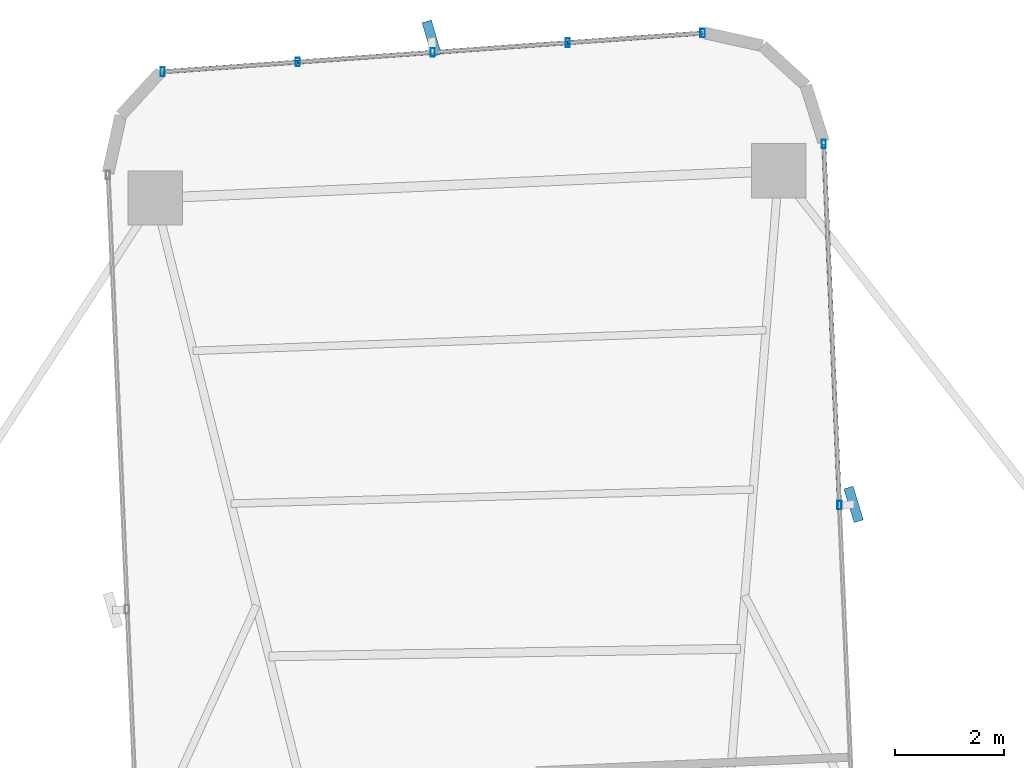
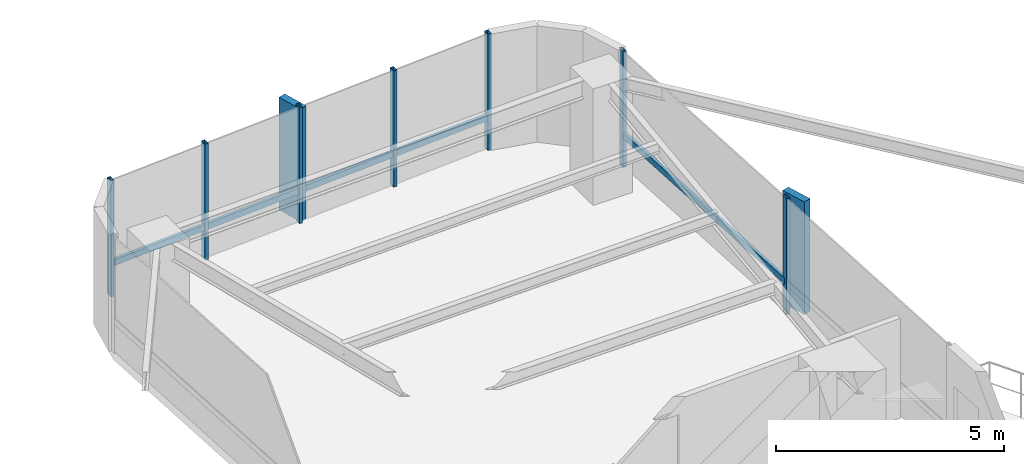
# One storey, part 19 of 26: 14 members, 2 elements without a shape of their own.
"""IFC4 building model written with IfcOpenShell, lengths in metres."""

from ifc_helpers import new_model, si_unit, direction, frame, origin, origin_2d, place, context, subcontext, project, spatial, rectangle, hollow_rectangle, extrude, source, transform, mapped, material, material_profile, profile_set, type_object, element, aggregate, save


model = new_model("IFC4")

# Units and contexts
model_context = context("Model", 3, precision=1e-05, world=origin(), true_north=direction((0.0, 1.0)))
body_context = subcontext(model_context, "Body", "Model", "MODEL_VIEW")
ifc_project = project(units=[si_unit("LENGTHUNIT", "METRE"), si_unit("AREAUNIT", "SQUARE_METRE"), si_unit("VOLUMEUNIT", "CUBIC_METRE"), si_unit("PLANEANGLEUNIT", "RADIAN"), si_unit("MASSUNIT", "GRAM", prefix="KILO")], contexts=[model_context])

# Site, building, storey
site_placement = place(None, origin())
site = spatial("IfcSite", under=ifc_project, at=site_placement, CompositionType="ELEMENT")
building_placement = place(site_placement, origin())
building = spatial("IfcBuilding", under=site, at=building_placement, Name="Sahyath Konkavel Grand Hotel", CompositionType="ELEMENT")
storey_placement = place(building_placement, frame((0.0, 0.0, 121.5)))
storey = spatial("IfcBuildingStorey", under=building, at=storey_placement, Name="L33", CompositionType="ELEMENT", Elevation=121.5)

# Curtain wall, member
ifc_material_1 = material(Name="Anodised Bronze Aluminium & Low-E Glazing", Category="aluminium")
curtain_wall_type = type_object("IfcCurtainWallType", Name="CW-ZONE2", PredefinedType="NOTDEFINED", material=ifc_material_1)
curtain_wall_1_placement = place(storey_placement, origin())
curtain_wall_1 = element("IfcCurtainWall", 1, at=curtain_wall_1_placement, inside=storey, type_object=curtain_wall_type, Name="L33 Unitised Curtain Wall F8", PredefinedType="NOTDEFINED")
ifc_material_2 = material(Name="Warm Buff Sandstone Cladding on Concrete C50/60", Category="masonry")
ifc_material_profile_1 = material_profile(ifc_material_2, rectangle(XDim=0.179931640625, YDim=0.64990234375, at=origin_2d()), Name="FIN 180x650")
ifc_profile_set_1 = profile_set([ifc_material_profile_1], Name="Warm Buff Sandstone Cladding on Concrete C50/60")
member_type_1 = type_object("IfcMemberType", Name="FIN-SANDSTONE-650", PredefinedType="MULLION", material=ifc_profile_set_1)
shared_shape_1 = source(origin(), body_context, "Body", "SweptSolid", [
    extrude(rectangle(XDim=0.179931640625, YDim=0.64990234375, at=origin_2d()), origin(), (0.0, 0.0, 1.0), 3.010009765625),
])
member_1_placement = place(storey_placement, frame((6.155517578125, 16.283935546875, 0.050048828125), z_axis=(0.0, 0.0, 1.0), x_axis=(0.956610402488, 0.291370104596, 0.0)))
member_1 = element("IfcMember", 2, at=member_1_placement, type_object=member_type_1, Name="L33 Sandstone Vertical Solar Fin FIN F8-1", PredefinedType="MULLION", context=body_context, shape_type="MappedRepresentation", body=[
    mapped(shared_shape_1, transform((0.0, 0.0, 0.0), scale=1.0)),
])

curtain_wall_2_placement = place(storey_placement, origin())
curtain_wall_2 = element("IfcCurtainWall", 3, at=curtain_wall_2_placement, inside=storey, type_object=curtain_wall_type, Name="L33 Unitised Curtain Wall F12", PredefinedType="NOTDEFINED")
member_2_placement = place(storey_placement, frame((-1.61865234375, 24.872314453125, 0.050048828125), z_axis=(0.0, 0.0, 1.0), x_axis=(0.959854262938, 0.280499187022, 0.0)))
member_2 = element("IfcMember", 4, at=member_2_placement, type_object=member_type_1, Name="L33 Sandstone Vertical Solar Fin FIN F12-2", PredefinedType="MULLION", context=body_context, shape_type="MappedRepresentation", body=[
    mapped(shared_shape_1, transform((0.0, 0.0, 0.0), scale=1.0)),
])

# Member
ifc_material_3 = material(Name="Anodised Bronze Aluminium", Category="aluminium")
ifc_material_profile_2 = material_profile(ifc_material_3, hollow_rectangle(XDim=0.080078125, YDim=0.159912109375, WallThickness=0.006103515625, at=origin_2d()), Name="RHS 160x80x6")
ifc_profile_set_2 = profile_set([ifc_material_profile_2], Name="Anodised Bronze Aluminium")
member_type_2 = type_object("IfcMemberType", Name="CW-MUL-160", PredefinedType="MULLION", material=ifc_profile_set_2)
shared_shape_2 = source(origin(), body_context, "Body", "SweptSolid", [
    extrude(hollow_rectangle(XDim=0.080078125, YDim=0.159912109375, WallThickness=0.006103515625, at=origin_2d()), origin(), (0.0, 0.0, 1.0), 3.110107421875),
])
member_3_placement = place(storey_placement, frame((5.895751953125, 16.272705078125, 0.0), z_axis=(0.0, 0.0, 1.0), x_axis=(1.0, 0.0, 0.0)))
member_3 = element("IfcMember", 5, at=member_3_placement, type_object=member_type_2, Name="L33 Curtain Wall Mullion F8-1", PredefinedType="MULLION", context=body_context, shape_type="MappedRepresentation", body=[
    mapped(shared_shape_2, transform((0.0, 0.0, 0.0), scale=1.0)),
])

member_4_placement = place(storey_placement, frame((5.605224609375, 22.92626953125, 0.0), z_axis=(0.0, 0.0, 1.0), x_axis=(1.0, 0.0, 0.0)))
member_4 = element("IfcMember", 6, at=member_4_placement, type_object=member_type_2, Name="L33 Curtain Wall Mullion F8-2", PredefinedType="MULLION", context=body_context, shape_type="MappedRepresentation", body=[
    mapped(shared_shape_2, transform((0.0, 0.0, 0.0), scale=1.0)),
])

member_5_placement = place(storey_placement, frame((3.3740234375, 24.9697265625, 0.0), z_axis=(0.0, 0.0, 1.0), x_axis=(1.0, 0.0, 0.0)))
member_5 = element("IfcMember", 7, at=member_5_placement, type_object=member_type_2, Name="L33 Curtain Wall Mullion F12-0", PredefinedType="MULLION", context=body_context, shape_type="MappedRepresentation", body=[
    mapped(shared_shape_2, transform((0.0, 0.0, 0.0), scale=1.0)),
])

member_6_placement = place(storey_placement, frame((0.886962890625, 24.79150390625, 0.0), z_axis=(0.0, 0.0, 1.0), x_axis=(1.0, 0.0, 0.0)))
member_6 = element("IfcMember", 8, at=member_6_placement, type_object=member_type_2, Name="L33 Curtain Wall Mullion F12-1", PredefinedType="MULLION", context=body_context, shape_type="MappedRepresentation", body=[
    mapped(shared_shape_2, transform((0.0, 0.0, 0.0), scale=1.0)),
])

member_7_placement = place(storey_placement, frame((-1.60009765625, 24.61279296875, 0.0), z_axis=(0.0, 0.0, 1.0), x_axis=(1.0, 0.0, 0.0)))
member_7 = element("IfcMember", 9, at=member_7_placement, type_object=member_type_2, Name="L33 Curtain Wall Mullion F12-2", PredefinedType="MULLION", context=body_context, shape_type="MappedRepresentation", body=[
    mapped(shared_shape_2, transform((0.0, 0.0, 0.0), scale=1.0)),
])

member_8_placement = place(storey_placement, frame((-4.087158203125, 24.4345703125, 0.0), z_axis=(0.0, 0.0, 1.0), x_axis=(1.0, 0.0, 0.0)))
member_8 = element("IfcMember", 10, at=member_8_placement, type_object=member_type_2, Name="L33 Curtain Wall Mullion F12-3", PredefinedType="MULLION", context=body_context, shape_type="MappedRepresentation", body=[
    mapped(shared_shape_2, transform((0.0, 0.0, 0.0), scale=1.0)),
])

member_9_placement = place(storey_placement, frame((-6.57421875, 24.256103515625, 0.0), z_axis=(0.0, 0.0, 1.0), x_axis=(1.0, 0.0, 0.0)))
member_9 = element("IfcMember", 11, at=member_9_placement, type_object=member_type_2, Name="L33 Curtain Wall Mullion F12-4", PredefinedType="MULLION", context=body_context, shape_type="MappedRepresentation", body=[
    mapped(shared_shape_2, transform((0.0, 0.0, 0.0), scale=1.0)),
])

ifc_material_profile_3 = material_profile(ifc_material_3, hollow_rectangle(XDim=0.080078125, YDim=0.159912109375, WallThickness=0.006103515625, at=origin_2d()), Name="RHS 160x80x6")
ifc_profile_set_3 = profile_set([ifc_material_profile_3], Name="Anodised Bronze Aluminium")
member_type_3 = type_object("IfcMemberType", Name="CW-TRN-160", PredefinedType="USERDEFINED", material=ifc_profile_set_3)
shared_shape_3 = source(origin(), body_context, "Body", "SweptSolid", [
    extrude(hollow_rectangle(XDim=0.080078125, YDim=0.159912109375, WallThickness=0.006103515625, at=origin_2d()), origin(), (0.0, 0.0, 1.0), 2.493408203125),
])
member_10_placement = place(storey_placement, frame((3.3740234375, 24.9697265625, 0.85009765625), z_axis=(-0.997442271688, -0.071476672066, 0.0), x_axis=(0.071476672066, -0.997442271688, 0.0)))
member_10 = element("IfcMember", 12, at=member_10_placement, type_object=member_type_3, Name="L33 Curtain Wall Transom F12-0-spandrel", ObjectType="TRANSOM", PredefinedType="USERDEFINED", context=body_context, shape_type="MappedRepresentation", body=[
    mapped(shared_shape_3, transform((0.0, 0.0, 0.0), scale=1.0)),
])

member_11_placement = place(storey_placement, frame((0.886962890625, 24.79150390625, 0.85009765625), z_axis=(-0.997428291631, -0.071671494009, 0.0), x_axis=(0.071671494009, -0.997428291631, 0.0)))
member_11 = element("IfcMember", 13, at=member_11_placement, type_object=member_type_3, Name="L33 Curtain Wall Transom F12-1-spandrel", ObjectType="TRANSOM", PredefinedType="USERDEFINED", context=body_context, shape_type="MappedRepresentation", body=[
    mapped(shared_shape_3, transform((0.0, 0.0, 0.0), scale=1.0)),
])

member_12_placement = place(storey_placement, frame((-1.60009765625, 24.61279296875, 0.85009765625), z_axis=(-0.997442271688, -0.071476672066, 0.0), x_axis=(0.071476672066, -0.997442271688, 0.0)))
member_12 = element("IfcMember", 14, at=member_12_placement, type_object=member_type_3, Name="L33 Curtain Wall Transom F12-2-spandrel", ObjectType="TRANSOM", PredefinedType="USERDEFINED", context=body_context, shape_type="MappedRepresentation", body=[
    mapped(shared_shape_3, transform((0.0, 0.0, 0.0), scale=1.0)),
])

member_13_placement = place(storey_placement, frame((-4.087158203125, 24.4345703125, 0.85009765625), z_axis=(-0.997435286367, -0.071574084062, 0.0), x_axis=(0.071574084062, -0.997435286367, 0.0)))
member_13 = element("IfcMember", 15, at=member_13_placement, type_object=member_type_3, Name="L33 Curtain Wall Transom F12-3-spandrel", ObjectType="TRANSOM", PredefinedType="USERDEFINED", context=body_context, shape_type="MappedRepresentation", body=[
    mapped(shared_shape_3, transform((0.0, 0.0, 0.0), scale=1.0)),
])

aggregate(curtain_wall_2, [member_5, member_6, member_7, member_2, member_8, member_9, member_10, member_11, member_12, member_13])

shared_shape_4 = source(origin(), body_context, "Body", "SweptSolid", [
    extrude(hollow_rectangle(XDim=0.080078125, YDim=0.159912109375, WallThickness=0.006103515625, at=origin_2d()), origin(), (0.0, 0.0, 1.0), 6.659912109375),
])
member_14_placement = place(storey_placement, frame((5.895751953125, 16.272705078125, 0.85009765625), z_axis=(-0.043623350741, 0.999048048529, 0.0), x_axis=(-0.999048048529, -0.043623350741, 0.0)))
member_14 = element("IfcMember", 16, at=member_14_placement, type_object=member_type_3, Name="L33 Curtain Wall Transom F8-1-spandrel", ObjectType="TRANSOM", PredefinedType="USERDEFINED", context=body_context, shape_type="MappedRepresentation", body=[
    mapped(shared_shape_4, transform((0.0, 0.0, 0.0), scale=1.0)),
])

aggregate(curtain_wall_1, [member_3, member_1, member_4, member_14])

save(model, "model.ifc")
